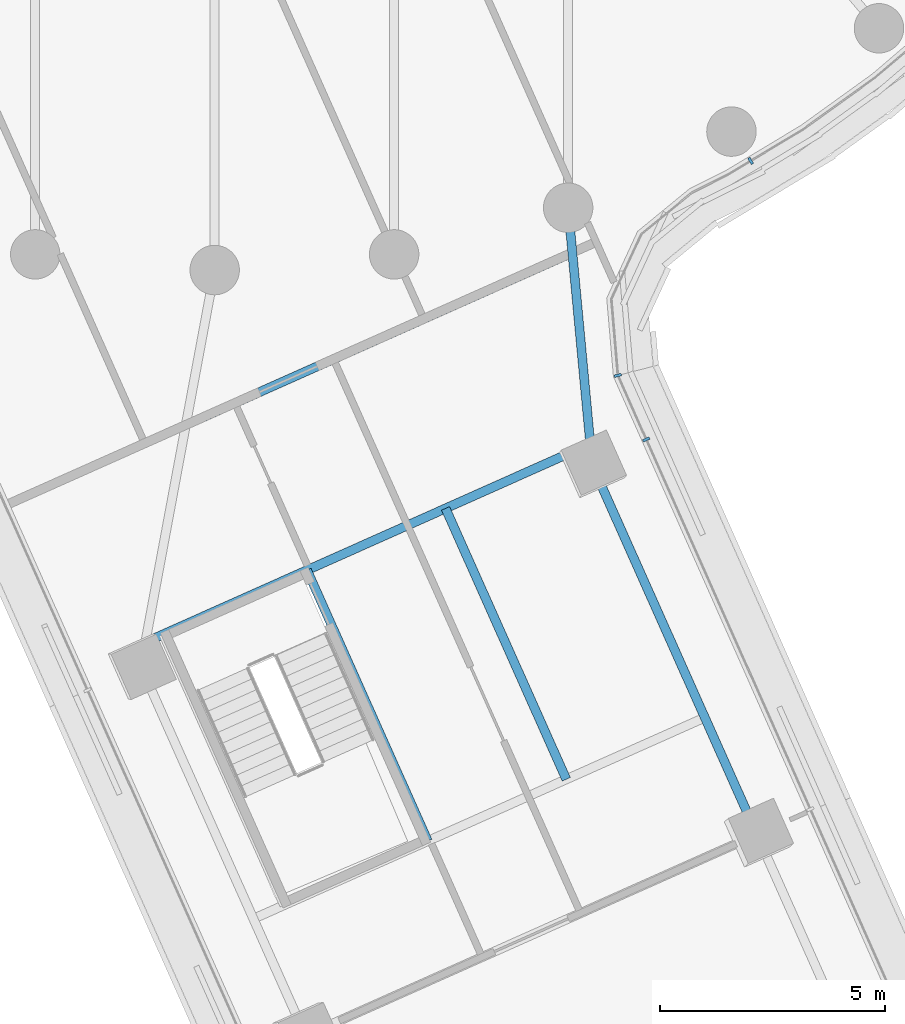
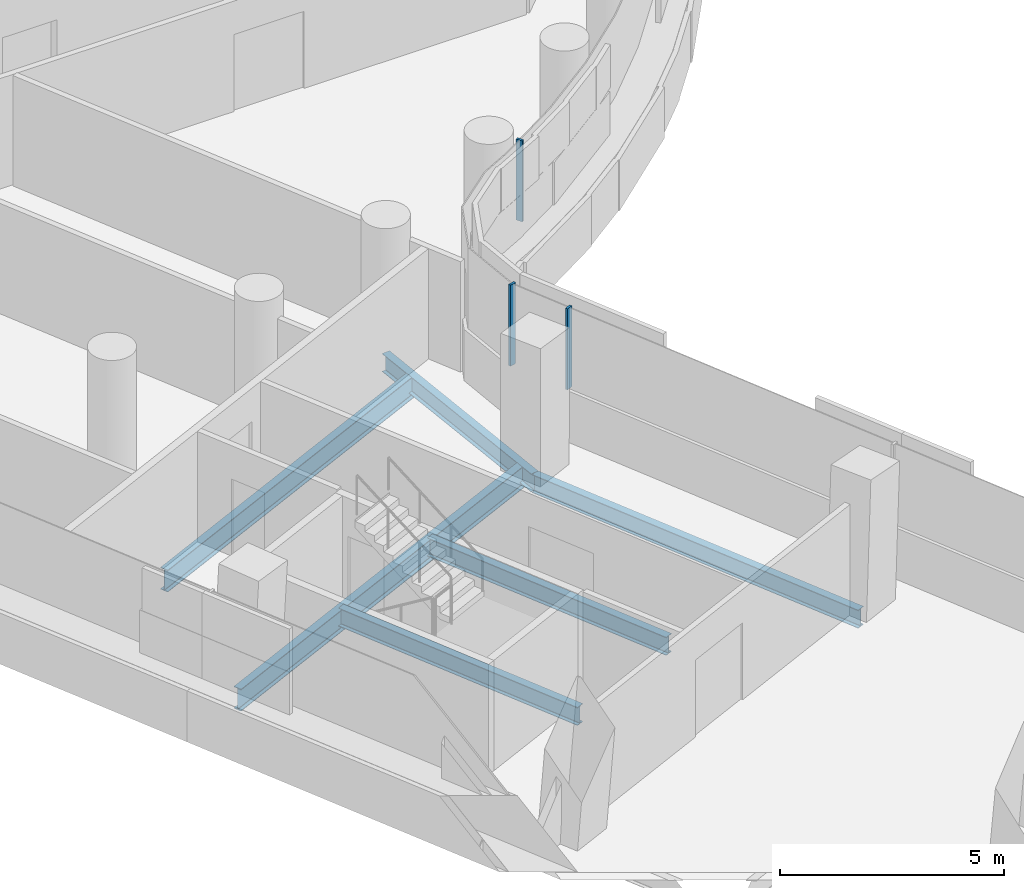
# One storey, part 4 of 35: 6 beams, 3 members, 2 elements without a shape of their own.
"""IFC4 building model written with IfcOpenShell, lengths in metres."""

from ifc_helpers import new_model, si_unit, direction, frame, origin, origin_2d, place, context, subcontext, project, spatial, rectangle, i_section, extrude, material, layer, layer_set, material_profile, profile_set, type_object, element, aggregate, save


model = new_model("IFC4")

# Units and contexts
model_context = context("Model", 3, precision=1e-05, world=origin(), true_north=direction((0.0, 1.0)))
body_context = subcontext(model_context, "Body", "Model", "MODEL_VIEW")
ifc_project = project(units=[si_unit("LENGTHUNIT", "METRE"), si_unit("AREAUNIT", "SQUARE_METRE"), si_unit("VOLUMEUNIT", "CUBIC_METRE"), si_unit("PLANEANGLEUNIT", "RADIAN"), si_unit("MASSUNIT", "GRAM", prefix="KILO")], contexts=[model_context])

# Site, building, storey
site_placement = place(None, origin())
site = spatial("IfcSite", under=ifc_project, at=site_placement, CompositionType="ELEMENT")
building_placement = place(site_placement, origin())
building = spatial("IfcBuilding", under=site, at=building_placement, Name="Tamarind Cross Interchange Tower", CompositionType="ELEMENT")
storey_placement = place(building_placement, frame((0.0, 0.0, 121.0)))
storey = spatial("IfcBuildingStorey", under=building, at=storey_placement, Name="L29", CompositionType="ELEMENT", Elevation=121.0)

# Beams
ifc_material_1 = material(Name="Steel Q355B", Category="steel")
ifc_material_profile_1 = material_profile(ifc_material_1, i_section(OverallWidth=0.198974609375, OverallDepth=0.49609375, WebThickness=0.009033203125, FlangeThickness=0.013916015625, FilletRadius=0.012939453125, at=origin_2d()), Name="HN 496x199x9x14")
ifc_profile_set_1 = profile_set([ifc_material_profile_1], Name="Steel Q355B")
beam_type_1 = type_object("IfcBeamType", Name="Composite beam HN 496x199x9x14 Q355B", PredefinedType="BEAM", material=ifc_profile_set_1)
beam_1_placement = place(storey_placement, frame((12.068359375, -35.560791015625, -0.387939453125), z_axis=(-0.407225482374, 0.913327655612, 0.0), x_axis=(-0.913327655612, -0.407225482374, 0.0)))
element("IfcBeam", 1, at=beam_1_placement, inside=storey, type_object=beam_type_1, Name="Beam S-edgeep3", PredefinedType="BEAM", context=body_context, shape_type="SweptSolid", body=[
    extrude(i_section(OverallWidth=0.198974609375, OverallDepth=0.49609375, WebThickness=0.009033203125, FlangeThickness=0.013916015625, FilletRadius=0.012939453125, at=origin_2d()), origin(), (0.0, 0.0, 1.0), 9.0),
])
beam_2_placement = place(storey_placement, frame((8.4033203125, -27.3408203125, -0.387939453125), z_axis=(-0.093320989215, 0.995636074563, 0.0), x_axis=(-0.995636074563, -0.093320989215, 0.0)))
element("IfcBeam", 2, at=beam_2_placement, inside=storey, type_object=beam_type_1, Name="Beam S-linkep", PredefinedType="BEAM", context=body_context, shape_type="SweptSolid", body=[
    extrude(i_section(OverallWidth=0.198974609375, OverallDepth=0.49609375, WebThickness=0.009033203125, FlangeThickness=0.013916015625, FilletRadius=0.012939453125, at=origin_2d()), origin(), (0.0, 0.0, 1.0), 5.7529296875),
])
beam_3_placement = place(storey_placement, frame((2.054931640625, -29.6787109375, -0.387939453125), z_axis=(0.407239908717, -0.9133212232, 0.0), x_axis=(0.9133212232, 0.407239908717, 0.0)))
element("IfcBeam", 3, at=beam_3_placement, inside=storey, type_object=beam_type_1, Name="Beam S-tr1", PredefinedType="BEAM", context=body_context, shape_type="SweptSolid", body=[
    extrude(i_section(OverallWidth=0.198974609375, OverallDepth=0.49609375, WebThickness=0.009033203125, FlangeThickness=0.013916015625, FilletRadius=0.012939453125, at=origin_2d()), origin(), (0.0, 0.0, 1.0), 6.599853515625),
])
beam_4_placement = place(storey_placement, frame((5.137451171875, -28.30419921875, -0.387939453125), z_axis=(0.407226150469, -0.913327357728, 0.0), x_axis=(0.913327357728, 0.407226150469, 0.0)))
element("IfcBeam", 4, at=beam_4_placement, inside=storey, type_object=beam_type_1, Name="Beam S-stripp", PredefinedType="BEAM", context=body_context, shape_type="SweptSolid", body=[
    extrude(i_section(OverallWidth=0.198974609375, OverallDepth=0.49609375, WebThickness=0.009033203125, FlangeThickness=0.013916015625, FilletRadius=0.012939453125, at=origin_2d()), origin(), (0.0, 0.0, 1.0), 6.60009765625),
])
ifc_material_profile_2 = material_profile(ifc_material_1, i_section(OverallWidth=0.199951171875, OverallDepth=0.60009765625, WebThickness=0.010986328125, FlangeThickness=0.01708984375, FilletRadius=0.012939453125, at=origin_2d()), Name="HN 600x200x11x17")
ifc_profile_set_2 = profile_set([ifc_material_profile_2], Name="Steel Q355B")
beam_type_2 = type_object("IfcBeamType", Name="Composite beam HN 600x200x11x17 Q355B", PredefinedType="BEAM", material=ifc_profile_set_2)
beam_5_placement = place(storey_placement, frame((-1.543212890625, -31.282958984375, -0.43994140625), z_axis=(0.913328031728, 0.407224638817, 0.0), x_axis=(-0.407224638817, 0.913328031728, 0.0)))
element("IfcBeam", 5, at=beam_5_placement, inside=storey, type_object=beam_type_2, Name="Beam S-x298", PredefinedType="BEAM", context=body_context, shape_type="SweptSolid", body=[
    extrude(i_section(OverallWidth=0.199951171875, OverallDepth=0.60009765625, WebThickness=0.010986328125, FlangeThickness=0.01708984375, FilletRadius=0.012939453125, at=origin_2d()), origin(), (0.0, 0.0, 1.0), 10.841796875),
])
beam_6_placement = place(storey_placement, frame((-0.642333984375, -26.447021484375, -0.43994140625), z_axis=(0.913329897654, 0.407220453871, 0.0), x_axis=(-0.407220453871, 0.913329897654, 0.0)))
element("IfcBeam", 6, at=beam_6_placement, inside=storey, type_object=beam_type_2, Name="Beam S-x258", PredefinedType="BEAM", context=body_context, shape_type="SweptSolid", body=[
    extrude(i_section(OverallWidth=0.199951171875, OverallDepth=0.60009765625, WebThickness=0.010986328125, FlangeThickness=0.01708984375, FilletRadius=0.012939453125, at=origin_2d()), origin(), (0.0, 0.0, 1.0), 9.418701171875),
])

# Curtain wall, member
ifc_material_2 = material(Name="Aluminium 6063-T6", Category="aluminium")
ifc_layer = layer(ifc_material_2, 0.159912109375)
ifc_layer_set = layer_set([ifc_layer], Name="Aluminium 6063-T6")
curtain_wall_type = type_object("IfcCurtainWallType", Name="Office curtain wall, 9.0 m bays", PredefinedType="NOTDEFINED", material=ifc_layer_set)
curtain_wall_1_placement = place(storey_placement, origin())
curtain_wall_1 = element("IfcCurtainWall", 7, at=curtain_wall_1_placement, inside=storey, type_object=curtain_wall_type, Name="CWS-L29-05", PredefinedType="NOTDEFINED")
ifc_material_profile_3 = material_profile(ifc_material_2, rectangle(XDim=0.06005859375, YDim=0.159912109375, at=origin_2d()), Name="Mullion CW1")
ifc_profile_set_3 = profile_set([ifc_material_profile_3], Name="Aluminium 6063-T6")
member_type = type_object("IfcMemberType", Name="Mullion CW1", PredefinedType="MULLION", material=ifc_profile_set_3)
member_1_placement = place(storey_placement, frame((9.604248046875, -26.76904296875, 1.39990234375), z_axis=(0.0, 0.0, 1.0), x_axis=(-0.40562364305, 0.914040185221, 0.0)))
member_1 = element("IfcMember", 8, at=member_1_placement, type_object=member_type, Name="CWM-L29-05-02", PredefinedType="MULLION", context=body_context, shape_type="SweptSolid", body=[
    extrude(rectangle(XDim=0.06005859375, YDim=0.159912109375, at=origin_2d()), origin(), (0.0, 0.0, 1.0), 2.210205078125),
])
aggregate(curtain_wall_1, [member_1])

# Curtain wall, members
curtain_wall_2_placement = place(storey_placement, origin())
curtain_wall_2 = element("IfcCurtainWall", 9, at=curtain_wall_2_placement, inside=storey, type_object=curtain_wall_type, Name="CWS-L29-06", PredefinedType="NOTDEFINED")
member_2_placement = place(storey_placement, frame((8.97216796875, -25.3447265625, 1.39990234375), z_axis=(0.0, 0.0, 1.0), x_axis=(-0.248989859926, 0.968506091697, 0.0)))
member_2 = element("IfcMember", 10, at=member_2_placement, type_object=member_type, Name="CWM-L29-06-00", PredefinedType="MULLION", context=body_context, shape_type="SweptSolid", body=[
    extrude(rectangle(XDim=0.06005859375, YDim=0.159912109375, at=origin_2d()), origin(), (0.0, 0.0, 1.0), 2.210205078125),
])
member_3_placement = place(storey_placement, frame((11.92724609375, -20.57080078125, 1.39990234375), z_axis=(0.0, 0.0, 1.0), x_axis=(0.856843065292, 0.515577308909, 0.0)))
member_3 = element("IfcMember", 11, at=member_3_placement, type_object=member_type, Name="CWM-L29-06-01", PredefinedType="MULLION", context=body_context, shape_type="SweptSolid", body=[
    extrude(rectangle(XDim=0.06005859375, YDim=0.159912109375, at=origin_2d()), origin(), (0.0, 0.0, 1.0), 2.210205078125),
])
aggregate(curtain_wall_2, [member_2, member_3])

save(model, "model.ifc")
